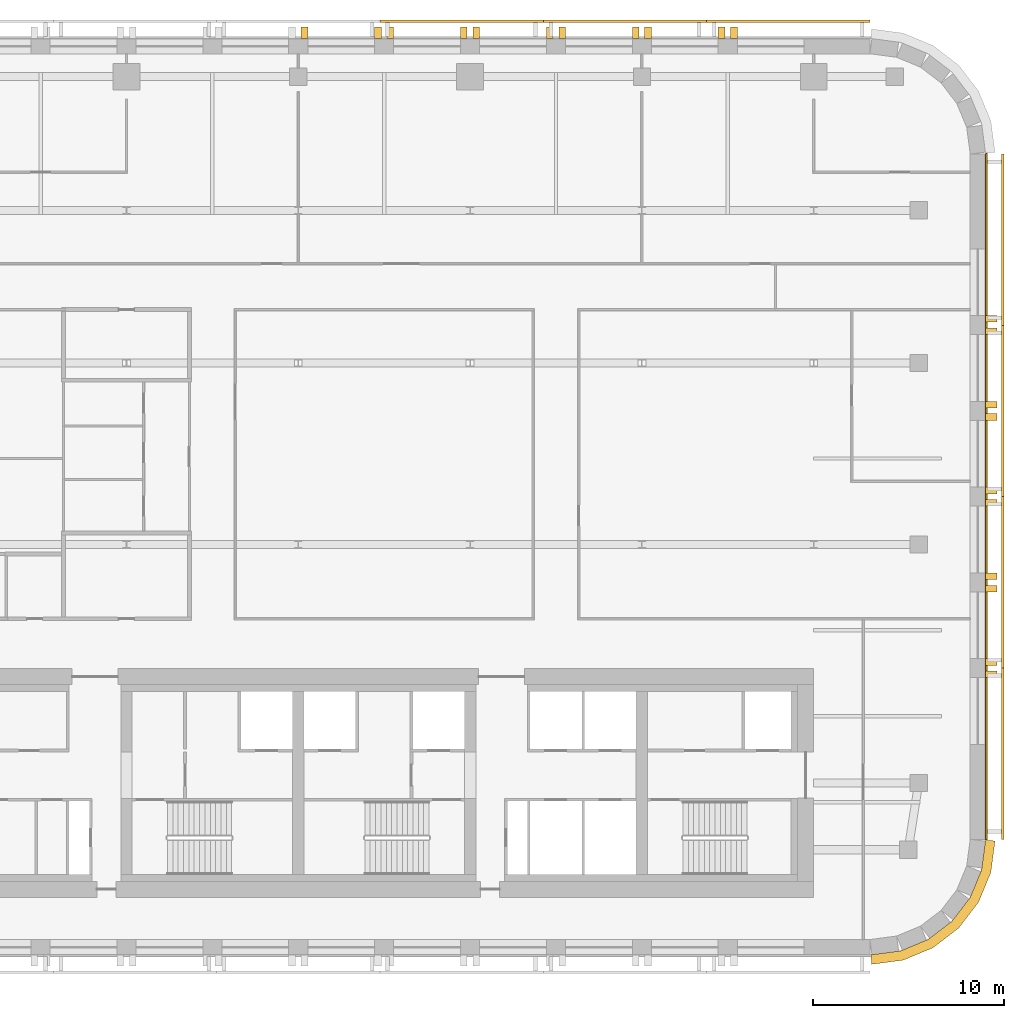
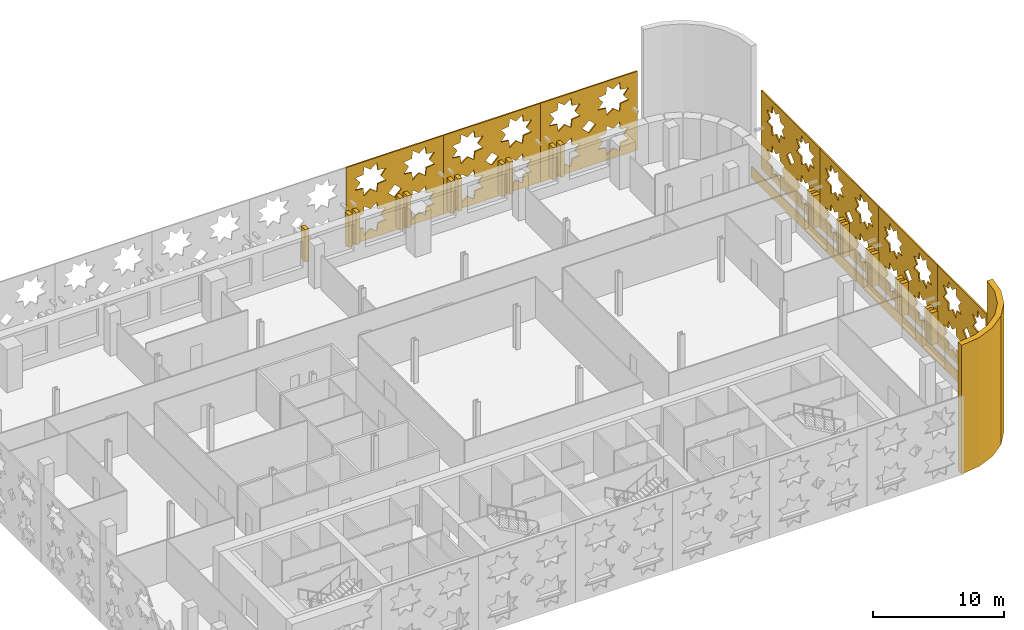
# One storey, part 13 of 14: 30 coverings.
"""IFC4 building model written with IfcOpenShell, lengths in metres."""

from ifc_helpers import new_model, si_unit, direction, frame, origin, place, context, subcontext, project, spatial, polyline, outline, extrude, material, layer, layer_set, type_object, element, save


model = new_model("IFC4")

# Units and contexts
model_context = context("Model", 3, precision=1e-05, world=origin(), true_north=direction((0.0, 1.0)))
body_context = subcontext(model_context, "Body", "Model", "MODEL_VIEW")
ifc_project = project(units=[si_unit("LENGTHUNIT", "METRE"), si_unit("AREAUNIT", "SQUARE_METRE"), si_unit("VOLUMEUNIT", "CUBIC_METRE"), si_unit("PLANEANGLEUNIT", "RADIAN"), si_unit("MASSUNIT", "GRAM", prefix="KILO")], contexts=[model_context])

# Site, building, storey
site_placement = place(None, origin())
site = spatial("IfcSite", under=ifc_project, at=site_placement, CompositionType="ELEMENT")
building_placement = place(site_placement, origin())
building = spatial("IfcBuilding", under=site, at=building_placement, Name="Zellij Exchange Tower", CompositionType="ELEMENT")
storey_placement = place(building_placement, frame((0.0, 0.0, 164.5)))
storey = spatial("IfcBuildingStorey", under=building, at=storey_placement, Name="L37", CompositionType="ELEMENT", Elevation=164.5)

# Coverings
ifc_material_1 = material(Name="Limestone cladding", Category="masonry")
ifc_layer_1 = layer(ifc_material_1, 0.5)
ifc_layer_set_1 = layer_set([ifc_layer_1], Name="Limestone cladding")
covering_type_1 = type_object("IfcCoveringType", Name="ENV-CV12 Stone corner pier 500", PredefinedType="CLADDING", material=ifc_layer_set_1)
covering_1_placement = place(storey_placement, origin())
element("IfcCovering", 1, at=covering_1_placement, inside=storey, type_object=covering_type_1, Name="Stone corner pier", PredefinedType="CLADDING", context=body_context, shape_type="SweptSolid", body=[
    extrude(outline(polyline([(30.0, -17.0), (31.552978515625, -16.795654296875), (33.0, -16.1962890625), (34.24267578125, -15.24267578125), (35.1962890625, -14.0), (35.795654296875, -12.552978515625), (36.0, -11.0), (36.5, -11.03271484375), (36.28271484375, -12.683349609375), (35.6328125, -14.252197265625), (34.59912109375, -15.59912109375), (33.252197265625, -16.6328125), (31.683349609375, -17.28271484375), (30.03271484375, -17.5), (30.0, -17.0)])), origin(), (0.0, 0.0, 1.0), 12.0),
])
covering_type_2 = type_object("IfcCoveringType", Name="ENV-CV3 Stone pier 350x600", PredefinedType="CLADDING", material=ifc_material_1)
covering_2_placement = place(storey_placement, frame((0.0, 0.0, 0.800048828125)))
element("IfcCovering", 2, at=covering_2_placement, inside=storey, type_object=covering_type_2, Name="Stone pier", PredefinedType="CLADDING", context=body_context, shape_type="SweptSolid", body=[
    extrude(outline(polyline([(36.0, -2.48681640625), (36.0, -2.136962890625), (36.60009765625, -2.136962890625), (36.60009765625, -2.48681640625), (36.0, -2.48681640625)])), origin(), (0.0, 0.0, 1.0), 3.0),
])
covering_3_placement = place(storey_placement, frame((0.0, 0.0, 0.800048828125)))
element("IfcCovering", 3, at=covering_3_placement, inside=storey, type_object=covering_type_2, Name="Stone pier", PredefinedType="CLADDING", context=body_context, shape_type="SweptSolid", body=[
    extrude(outline(polyline([(36.0, -1.8369140625), (36.0, -1.48681640625), (36.60009765625, -1.48681640625), (36.60009765625, -1.8369140625), (36.0, -1.8369140625)])), origin(), (0.0, 0.0, 1.0), 3.0),
])
covering_4_placement = place(storey_placement, frame((0.0, 0.0, 0.800048828125)))
element("IfcCovering", 4, at=covering_4_placement, inside=storey, type_object=covering_type_2, Name="Stone pier", PredefinedType="CLADDING", context=body_context, shape_type="SweptSolid", body=[
    extrude(outline(polyline([(36.0, 2.006591796875), (36.0, 2.3564453125), (36.60009765625, 2.3564453125), (36.60009765625, 2.006591796875), (36.0, 2.006591796875)])), origin(), (0.0, 0.0, 1.0), 3.0),
])
covering_5_placement = place(storey_placement, frame((0.0, 0.0, 0.800048828125)))
element("IfcCovering", 5, at=covering_5_placement, inside=storey, type_object=covering_type_2, Name="Stone pier", PredefinedType="CLADDING", context=body_context, shape_type="SweptSolid", body=[
    extrude(outline(polyline([(36.0, 2.656494140625), (36.0, 3.006591796875), (36.60009765625, 3.006591796875), (36.60009765625, 2.656494140625), (36.0, 2.656494140625)])), origin(), (0.0, 0.0, 1.0), 3.0),
])
covering_6_placement = place(storey_placement, frame((0.0, 0.0, 0.800048828125)))
element("IfcCovering", 6, at=covering_6_placement, inside=storey, type_object=covering_type_2, Name="Stone pier", PredefinedType="CLADDING", context=body_context, shape_type="SweptSolid", body=[
    extrude(outline(polyline([(36.0, 6.5), (36.0, 6.85009765625), (36.60009765625, 6.85009765625), (36.60009765625, 6.5), (36.0, 6.5)])), origin(), (0.0, 0.0, 1.0), 3.0),
])
covering_7_placement = place(storey_placement, frame((0.0, 0.0, 0.800048828125)))
element("IfcCovering", 7, at=covering_7_placement, inside=storey, type_object=covering_type_2, Name="Stone pier", PredefinedType="CLADDING", context=body_context, shape_type="SweptSolid", body=[
    extrude(outline(polyline([(36.0, 7.14990234375), (36.0, 7.5), (36.60009765625, 7.5), (36.60009765625, 7.14990234375), (36.0, 7.14990234375)])), origin(), (0.0, 0.0, 1.0), 3.0),
])
covering_8_placement = place(storey_placement, frame((0.0, 0.0, 0.800048828125)))
element("IfcCovering", 8, at=covering_8_placement, inside=storey, type_object=covering_type_2, Name="Stone pier", PredefinedType="CLADDING", context=body_context, shape_type="SweptSolid", body=[
    extrude(outline(polyline([(36.0, 10.993408203125), (36.0, 11.343505859375), (36.60009765625, 11.343505859375), (36.60009765625, 10.993408203125), (36.0, 10.993408203125)])), origin(), (0.0, 0.0, 1.0), 3.0),
])
covering_9_placement = place(storey_placement, frame((0.0, 0.0, 0.800048828125)))
element("IfcCovering", 9, at=covering_9_placement, inside=storey, type_object=covering_type_2, Name="Stone pier", PredefinedType="CLADDING", context=body_context, shape_type="SweptSolid", body=[
    extrude(outline(polyline([(36.0, 11.643310546875), (36.0, 11.993408203125), (36.60009765625, 11.993408203125), (36.60009765625, 11.643310546875), (36.0, 11.643310546875)])), origin(), (0.0, 0.0, 1.0), 3.0),
])
covering_10_placement = place(storey_placement, frame((0.0, 0.0, 0.800048828125)))
element("IfcCovering", 10, at=covering_10_placement, inside=storey, type_object=covering_type_2, Name="Stone pier", PredefinedType="CLADDING", context=body_context, shape_type="SweptSolid", body=[
    extrude(outline(polyline([(36.0, 15.48681640625), (36.0, 15.8369140625), (36.60009765625, 15.8369140625), (36.60009765625, 15.48681640625), (36.0, 15.48681640625)])), origin(), (0.0, 0.0, 1.0), 3.0),
])
covering_11_placement = place(storey_placement, frame((0.0, 0.0, 0.800048828125)))
element("IfcCovering", 11, at=covering_11_placement, inside=storey, type_object=covering_type_2, Name="Stone pier", PredefinedType="CLADDING", context=body_context, shape_type="SweptSolid", body=[
    extrude(outline(polyline([(36.0, 16.136962890625), (36.0, 16.48681640625), (36.60009765625, 16.48681640625), (36.60009765625, 16.136962890625), (36.0, 16.136962890625)])), origin(), (0.0, 0.0, 1.0), 3.0),
])
covering_12_placement = place(storey_placement, frame((0.0, 0.0, 0.800048828125)))
element("IfcCovering", 12, at=covering_12_placement, inside=storey, type_object=covering_type_2, Name="Stone pier", PredefinedType="CLADDING", context=body_context, shape_type="SweptSolid", body=[
    extrude(outline(polyline([(23.0, 31.0), (22.64990234375, 31.0), (22.64990234375, 31.60009765625), (23.0, 31.60009765625), (23.0, 31.0)])), origin(), (0.0, 0.0, 1.0), 3.0),
])
covering_13_placement = place(storey_placement, frame((0.0, 0.0, 0.800048828125)))
element("IfcCovering", 13, at=covering_13_placement, inside=storey, type_object=covering_type_2, Name="Stone pier", PredefinedType="CLADDING", context=body_context, shape_type="SweptSolid", body=[
    extrude(outline(polyline([(22.35009765625, 31.0), (22.0, 31.0), (22.0, 31.60009765625), (22.35009765625, 31.60009765625), (22.35009765625, 31.0)])), origin(), (0.0, 0.0, 1.0), 3.0),
])
covering_14_placement = place(storey_placement, frame((0.0, 0.0, 0.800048828125)))
element("IfcCovering", 14, at=covering_14_placement, inside=storey, type_object=covering_type_2, Name="Stone pier", PredefinedType="CLADDING", context=body_context, shape_type="SweptSolid", body=[
    extrude(outline(polyline([(18.5, 31.0), (18.14990234375, 31.0), (18.14990234375, 31.60009765625), (18.5, 31.60009765625), (18.5, 31.0)])), origin(), (0.0, 0.0, 1.0), 3.0),
])
covering_15_placement = place(storey_placement, frame((0.0, 0.0, 0.800048828125)))
element("IfcCovering", 15, at=covering_15_placement, inside=storey, type_object=covering_type_2, Name="Stone pier", PredefinedType="CLADDING", context=body_context, shape_type="SweptSolid", body=[
    extrude(outline(polyline([(17.85009765625, 31.0), (17.5, 31.0), (17.5, 31.60009765625), (17.85009765625, 31.60009765625), (17.85009765625, 31.0)])), origin(), (0.0, 0.0, 1.0), 3.0),
])
covering_16_placement = place(storey_placement, frame((0.0, 0.0, 0.800048828125)))
element("IfcCovering", 16, at=covering_16_placement, inside=storey, type_object=covering_type_2, Name="Stone pier", PredefinedType="CLADDING", context=body_context, shape_type="SweptSolid", body=[
    extrude(outline(polyline([(14.0, 31.0), (13.64990234375, 31.0), (13.64990234375, 31.60009765625), (14.0, 31.60009765625), (14.0, 31.0)])), origin(), (0.0, 0.0, 1.0), 3.0),
])
covering_17_placement = place(storey_placement, frame((0.0, 0.0, 0.800048828125)))
element("IfcCovering", 17, at=covering_17_placement, inside=storey, type_object=covering_type_2, Name="Stone pier", PredefinedType="CLADDING", context=body_context, shape_type="SweptSolid", body=[
    extrude(outline(polyline([(13.35009765625, 31.0), (13.0, 31.0), (13.0, 31.60009765625), (13.35009765625, 31.60009765625), (13.35009765625, 31.0)])), origin(), (0.0, 0.0, 1.0), 3.0),
])
covering_18_placement = place(storey_placement, frame((0.0, 0.0, 0.800048828125)))
element("IfcCovering", 18, at=covering_18_placement, inside=storey, type_object=covering_type_2, Name="Stone pier", PredefinedType="CLADDING", context=body_context, shape_type="SweptSolid", body=[
    extrude(outline(polyline([(9.5, 31.0), (9.14990234375, 31.0), (9.14990234375, 31.60009765625), (9.5, 31.60009765625), (9.5, 31.0)])), origin(), (0.0, 0.0, 1.0), 3.0),
])
covering_19_placement = place(storey_placement, frame((0.0, 0.0, 0.800048828125)))
element("IfcCovering", 19, at=covering_19_placement, inside=storey, type_object=covering_type_2, Name="Stone pier", PredefinedType="CLADDING", context=body_context, shape_type="SweptSolid", body=[
    extrude(outline(polyline([(8.85009765625, 31.0), (8.5, 31.0), (8.5, 31.60009765625), (8.85009765625, 31.60009765625), (8.85009765625, 31.0)])), origin(), (0.0, 0.0, 1.0), 3.0),
])
covering_20_placement = place(storey_placement, frame((0.0, 0.0, 0.800048828125)))
element("IfcCovering", 20, at=covering_20_placement, inside=storey, type_object=covering_type_2, Name="Stone pier", PredefinedType="CLADDING", context=body_context, shape_type="SweptSolid", body=[
    extrude(outline(polyline([(5.0, 31.0), (4.64990234375, 31.0), (4.64990234375, 31.60009765625), (5.0, 31.60009765625), (5.0, 31.0)])), origin(), (0.0, 0.0, 1.0), 3.0),
])
covering_21_placement = place(storey_placement, frame((0.0, 0.0, 0.800048828125)))
element("IfcCovering", 21, at=covering_21_placement, inside=storey, type_object=covering_type_2, Name="Stone pier", PredefinedType="CLADDING", context=body_context, shape_type="SweptSolid", body=[
    extrude(outline(polyline([(4.35009765625, 31.0), (4.0, 31.0), (4.0, 31.60009765625), (4.35009765625, 31.60009765625), (4.35009765625, 31.0)])), origin(), (0.0, 0.0, 1.0), 3.0),
])
covering_22_placement = place(storey_placement, frame((0.0, 0.0, 0.800048828125)))
element("IfcCovering", 22, at=covering_22_placement, inside=storey, type_object=covering_type_2, Name="Stone pier", PredefinedType="CLADDING", context=body_context, shape_type="SweptSolid", body=[
    extrude(outline(polyline([(0.5, 31.0), (0.14990234375, 31.0), (0.14990234375, 31.60009765625), (0.5, 31.60009765625), (0.5, 31.0)])), origin(), (0.0, 0.0, 1.0), 3.0),
])
ifc_layer_2 = layer(ifc_material_1, 0.10009765625)
ifc_layer_set_2 = layer_set([ifc_layer_2], Name="Limestone cladding")
covering_type_3 = type_object("IfcCoveringType", Name="ENV-CV9 Stone spandrel band 100", PredefinedType="CLADDING", material=ifc_layer_set_2)
covering_23_placement = place(storey_placement, frame((0.0, 0.0, -0.199951171875)))
element("IfcCovering", 23, at=covering_23_placement, inside=storey, type_object=covering_type_3, Name="Stone spandrel band", PredefinedType="CLADDING", context=body_context, shape_type="SweptSolid", body=[
    extrude(outline(polyline([(36.0, -10.973876953125), (36.0, 24.973876953125), (36.10009765625, 24.980224609375), (36.10009765625, -10.980224609375), (36.0, -10.973876953125)])), origin(), (0.0, 0.0, 1.0), 1.0),
])
ifc_material_2 = material(Name="Limestone screen", Category="masonry")
ifc_layer_3 = layer(ifc_material_2, 0.1201171875)
ifc_layer_set_3 = layer_set([ifc_layer_3], Name="Limestone screen")
covering_type_4 = type_object("IfcCoveringType", Name="ENV-SC1 Pierced stone screen 120", PredefinedType="USERDEFINED", material=ifc_layer_set_3)
covering_24_placement = place(storey_placement, frame((29.947509765625, 31.909912109375, 0.300048828125), z_axis=(0.0, 0.0, 1.0), x_axis=(-1.0, 0.0, 0.0)))
element("IfcCovering", 24, at=covering_24_placement, inside=storey, type_object=covering_type_4, Name="Pierced stone screen", ObjectType="SCREEN", PredefinedType="USERDEFINED", context=body_context, shape_type="SweptSolid", body=[
    extrude(outline(polyline([(0.0, 0.0), (8.556396484375, 0.0), (8.556396484375, 7.35009765625), (0.0, 7.35009765625), (0.0, 0.0)]), holes=[polyline([(3.497314453125, 2.39990234375), (2.78369140625, 2.48193359375), (2.70166015625, 3.195556640625), (2.13916015625, 2.748779296875), (1.57666015625, 3.195556640625), (1.49462890625, 2.48193359375), (0.781005859375, 2.39990234375), (1.227783203125, 1.83740234375), (0.781005859375, 1.27490234375), (1.49462890625, 1.193115234375), (1.57666015625, 0.4794921875), (2.13916015625, 0.926025390625), (2.70166015625, 0.4794921875), (2.78369140625, 1.193115234375), (3.497314453125, 1.27490234375), (3.050537109375, 1.83740234375), (3.497314453125, 2.39990234375)]), polyline([(3.497314453125, 6.074951171875), (2.78369140625, 6.156982421875), (2.70166015625, 6.87060546875), (2.13916015625, 6.423828125), (1.57666015625, 6.87060546875), (1.49462890625, 6.156982421875), (0.781005859375, 6.074951171875), (1.227783203125, 5.512451171875), (0.781005859375, 4.949951171875), (1.49462890625, 4.867919921875), (1.57666015625, 4.154296875), (2.13916015625, 4.60107421875), (2.70166015625, 4.154296875), (2.78369140625, 4.867919921875), (3.497314453125, 4.949951171875), (3.050537109375, 5.512451171875), (3.497314453125, 6.074951171875)]), polyline([(7.775390625, 2.39990234375), (7.061767578125, 2.48193359375), (6.97998046875, 3.195556640625), (6.417236328125, 2.748779296875), (5.854736328125, 3.195556640625), (5.77294921875, 2.48193359375), (5.05908203125, 2.39990234375), (5.505859375, 1.83740234375), (5.05908203125, 1.27490234375), (5.77294921875, 1.193115234375), (5.854736328125, 0.4794921875), (6.417236328125, 0.926025390625), (6.97998046875, 0.4794921875), (7.061767578125, 1.193115234375), (7.775390625, 1.27490234375), (7.32861328125, 1.83740234375), (7.775390625, 2.39990234375)]), polyline([(7.775390625, 6.074951171875), (7.061767578125, 6.156982421875), (6.97998046875, 6.87060546875), (6.417236328125, 6.423828125), (5.854736328125, 6.87060546875), (5.77294921875, 6.156982421875), (5.05908203125, 6.074951171875), (5.505859375, 5.512451171875), (5.05908203125, 4.949951171875), (5.77294921875, 4.867919921875), (5.854736328125, 4.154296875), (6.417236328125, 4.60107421875), (6.97998046875, 4.154296875), (7.061767578125, 4.867919921875), (7.775390625, 4.949951171875), (7.32861328125, 5.512451171875), (7.775390625, 6.074951171875)]), polyline([(4.8662109375, 3.675048828125), (4.2783203125, 4.262939453125), (3.690185546875, 3.675048828125), (4.2783203125, 3.0869140625), (4.8662109375, 3.675048828125)])]), frame((0.0, 0.06005859375, 0.0), z_axis=(0.0, -1.0, 0.0), x_axis=(1.0, 0.0, 0.0)), (0.0, 0.0, 1.0), 0.1201171875),
])
covering_25_placement = place(storey_placement, frame((21.39111328125, 31.909912109375, 0.300048828125), z_axis=(0.0, 0.0, 1.0), x_axis=(-1.0, 0.0, 0.0)))
element("IfcCovering", 25, at=covering_25_placement, inside=storey, type_object=covering_type_4, Name="Pierced stone screen", ObjectType="SCREEN", PredefinedType="USERDEFINED", context=body_context, shape_type="SweptSolid", body=[
    extrude(outline(polyline([(0.0, 0.0), (8.556396484375, 0.0), (8.556396484375, 7.35009765625), (0.0, 7.35009765625), (0.0, 0.0)]), holes=[polyline([(3.497314453125, 2.39990234375), (2.78369140625, 2.48193359375), (2.70166015625, 3.195556640625), (2.13916015625, 2.748779296875), (1.57666015625, 3.195556640625), (1.49462890625, 2.48193359375), (0.781005859375, 2.39990234375), (1.227783203125, 1.83740234375), (0.781005859375, 1.27490234375), (1.49462890625, 1.193115234375), (1.57666015625, 0.4794921875), (2.13916015625, 0.926025390625), (2.70166015625, 0.4794921875), (2.78369140625, 1.193115234375), (3.497314453125, 1.27490234375), (3.050537109375, 1.83740234375), (3.497314453125, 2.39990234375)]), polyline([(3.497314453125, 6.074951171875), (2.78369140625, 6.156982421875), (2.70166015625, 6.87060546875), (2.13916015625, 6.423828125), (1.57666015625, 6.87060546875), (1.49462890625, 6.156982421875), (0.781005859375, 6.074951171875), (1.227783203125, 5.512451171875), (0.781005859375, 4.949951171875), (1.49462890625, 4.867919921875), (1.57666015625, 4.154296875), (2.13916015625, 4.60107421875), (2.70166015625, 4.154296875), (2.78369140625, 4.867919921875), (3.497314453125, 4.949951171875), (3.050537109375, 5.512451171875), (3.497314453125, 6.074951171875)]), polyline([(7.775390625, 2.39990234375), (7.061767578125, 2.48193359375), (6.97998046875, 3.195556640625), (6.417236328125, 2.748779296875), (5.854736328125, 3.195556640625), (5.77294921875, 2.48193359375), (5.05908203125, 2.39990234375), (5.505859375, 1.83740234375), (5.05908203125, 1.27490234375), (5.77294921875, 1.193115234375), (5.854736328125, 0.4794921875), (6.417236328125, 0.926025390625), (6.97998046875, 0.4794921875), (7.061767578125, 1.193115234375), (7.775390625, 1.27490234375), (7.32861328125, 1.83740234375), (7.775390625, 2.39990234375)]), polyline([(7.775390625, 6.074951171875), (7.061767578125, 6.156982421875), (6.97998046875, 6.87060546875), (6.417236328125, 6.423828125), (5.854736328125, 6.87060546875), (5.77294921875, 6.156982421875), (5.05908203125, 6.074951171875), (5.505859375, 5.512451171875), (5.05908203125, 4.949951171875), (5.77294921875, 4.867919921875), (5.854736328125, 4.154296875), (6.417236328125, 4.60107421875), (6.97998046875, 4.154296875), (7.061767578125, 4.867919921875), (7.775390625, 4.949951171875), (7.32861328125, 5.512451171875), (7.775390625, 6.074951171875)]), polyline([(4.8662109375, 3.675048828125), (4.2783203125, 4.262939453125), (3.690185546875, 3.675048828125), (4.2783203125, 3.0869140625), (4.8662109375, 3.675048828125)])]), frame((0.0, 0.06005859375, 0.0), z_axis=(0.0, -1.0, 0.0), x_axis=(1.0, 0.0, 0.0)), (0.0, 0.0, 1.0), 0.1201171875),
])
covering_26_placement = place(storey_placement, frame((12.834716796875, 31.909912109375, 0.300048828125), z_axis=(0.0, 0.0, 1.0), x_axis=(-1.0, 0.0, 0.0)))
element("IfcCovering", 26, at=covering_26_placement, inside=storey, type_object=covering_type_4, Name="Pierced stone screen", ObjectType="SCREEN", PredefinedType="USERDEFINED", context=body_context, shape_type="SweptSolid", body=[
    extrude(outline(polyline([(0.0, 0.0), (8.556396484375, 0.0), (8.556396484375, 7.35009765625), (0.0, 7.35009765625), (0.0, 0.0)]), holes=[polyline([(3.497314453125, 2.39990234375), (2.78369140625, 2.48193359375), (2.70166015625, 3.195556640625), (2.13916015625, 2.748779296875), (1.57666015625, 3.195556640625), (1.49462890625, 2.48193359375), (0.781005859375, 2.39990234375), (1.227783203125, 1.83740234375), (0.781005859375, 1.27490234375), (1.49462890625, 1.193115234375), (1.57666015625, 0.4794921875), (2.13916015625, 0.926025390625), (2.70166015625, 0.4794921875), (2.78369140625, 1.193115234375), (3.497314453125, 1.27490234375), (3.050537109375, 1.83740234375), (3.497314453125, 2.39990234375)]), polyline([(3.497314453125, 6.074951171875), (2.78369140625, 6.156982421875), (2.70166015625, 6.87060546875), (2.13916015625, 6.423828125), (1.57666015625, 6.87060546875), (1.49462890625, 6.156982421875), (0.781005859375, 6.074951171875), (1.227783203125, 5.512451171875), (0.781005859375, 4.949951171875), (1.49462890625, 4.867919921875), (1.57666015625, 4.154296875), (2.13916015625, 4.60107421875), (2.70166015625, 4.154296875), (2.78369140625, 4.867919921875), (3.497314453125, 4.949951171875), (3.050537109375, 5.512451171875), (3.497314453125, 6.074951171875)]), polyline([(7.775390625, 2.39990234375), (7.061767578125, 2.48193359375), (6.97998046875, 3.195556640625), (6.417236328125, 2.748779296875), (5.854736328125, 3.195556640625), (5.77294921875, 2.48193359375), (5.05908203125, 2.39990234375), (5.505859375, 1.83740234375), (5.05908203125, 1.27490234375), (5.77294921875, 1.193115234375), (5.854736328125, 0.4794921875), (6.417236328125, 0.926025390625), (6.97998046875, 0.4794921875), (7.061767578125, 1.193115234375), (7.775390625, 1.27490234375), (7.32861328125, 1.83740234375), (7.775390625, 2.39990234375)]), polyline([(7.775390625, 6.074951171875), (7.061767578125, 6.156982421875), (6.97998046875, 6.87060546875), (6.417236328125, 6.423828125), (5.854736328125, 6.87060546875), (5.77294921875, 6.156982421875), (5.05908203125, 6.074951171875), (5.505859375, 5.512451171875), (5.05908203125, 4.949951171875), (5.77294921875, 4.867919921875), (5.854736328125, 4.154296875), (6.417236328125, 4.60107421875), (6.97998046875, 4.154296875), (7.061767578125, 4.867919921875), (7.775390625, 4.949951171875), (7.32861328125, 5.512451171875), (7.775390625, 6.074951171875)]), polyline([(4.8662109375, 3.675048828125), (4.2783203125, 4.262939453125), (3.690185546875, 3.675048828125), (4.2783203125, 3.0869140625), (4.8662109375, 3.675048828125)])]), frame((0.0, 0.06005859375, 0.0), z_axis=(0.0, -1.0, 0.0), x_axis=(1.0, 0.0, 0.0)), (0.0, 0.0, 1.0), 0.1201171875),
])
covering_27_placement = place(storey_placement, frame((36.909912109375, -10.947509765625, 0.300048828125), z_axis=(0.0, 0.0, 1.0), x_axis=(0.0, 1.0, 0.0)))
element("IfcCovering", 27, at=covering_27_placement, inside=storey, type_object=covering_type_4, Name="Pierced stone screen", ObjectType="SCREEN", PredefinedType="USERDEFINED", context=body_context, shape_type="SweptSolid", body=[
    extrude(outline(polyline([(0.0, 0.0), (8.973876953125, 0.0), (8.973876953125, 7.35009765625), (0.0, 7.35009765625), (0.0, 0.0)]), holes=[polyline([(3.6015625, 2.39990234375), (2.887939453125, 2.48193359375), (2.805908203125, 3.195556640625), (2.243408203125, 2.748779296875), (1.680908203125, 3.195556640625), (1.59912109375, 2.48193359375), (0.88525390625, 2.39990234375), (1.33203125, 1.83740234375), (0.88525390625, 1.27490234375), (1.59912109375, 1.193115234375), (1.680908203125, 0.4794921875), (2.243408203125, 0.926025390625), (2.805908203125, 0.4794921875), (2.887939453125, 1.193115234375), (3.6015625, 1.27490234375), (3.15478515625, 1.83740234375), (3.6015625, 2.39990234375)]), polyline([(3.6015625, 6.074951171875), (2.887939453125, 6.156982421875), (2.805908203125, 6.87060546875), (2.243408203125, 6.423828125), (1.680908203125, 6.87060546875), (1.59912109375, 6.156982421875), (0.88525390625, 6.074951171875), (1.33203125, 5.512451171875), (0.88525390625, 4.949951171875), (1.59912109375, 4.867919921875), (1.680908203125, 4.154296875), (2.243408203125, 4.60107421875), (2.805908203125, 4.154296875), (2.887939453125, 4.867919921875), (3.6015625, 4.949951171875), (3.15478515625, 5.512451171875), (3.6015625, 6.074951171875)]), polyline([(8.08837890625, 2.39990234375), (7.374755859375, 2.48193359375), (7.29296875, 3.195556640625), (6.730224609375, 2.748779296875), (6.167724609375, 3.195556640625), (6.0859375, 2.48193359375), (5.372314453125, 2.39990234375), (5.81884765625, 1.83740234375), (5.372314453125, 1.27490234375), (6.0859375, 1.193115234375), (6.167724609375, 0.4794921875), (6.730224609375, 0.926025390625), (7.29296875, 0.4794921875), (7.374755859375, 1.193115234375), (8.08837890625, 1.27490234375), (7.6416015625, 1.83740234375), (8.08837890625, 2.39990234375)]), polyline([(8.08837890625, 6.074951171875), (7.374755859375, 6.156982421875), (7.29296875, 6.87060546875), (6.730224609375, 6.423828125), (6.167724609375, 6.87060546875), (6.0859375, 6.156982421875), (5.372314453125, 6.074951171875), (5.81884765625, 5.512451171875), (5.372314453125, 4.949951171875), (6.0859375, 4.867919921875), (6.167724609375, 4.154296875), (6.730224609375, 4.60107421875), (7.29296875, 4.154296875), (7.374755859375, 4.867919921875), (8.08837890625, 4.949951171875), (7.6416015625, 5.512451171875), (8.08837890625, 6.074951171875)]), polyline([(5.074951171875, 3.675048828125), (4.48681640625, 4.262939453125), (3.89892578125, 3.675048828125), (4.48681640625, 3.0869140625), (5.074951171875, 3.675048828125)])]), frame((0.0, 0.06005859375, 0.0), z_axis=(0.0, -1.0, 0.0), x_axis=(1.0, 0.0, 0.0)), (0.0, 0.0, 1.0), 0.1201171875),
])
covering_28_placement = place(storey_placement, frame((36.909912109375, -1.973876953125, 0.300048828125), z_axis=(0.0, 0.0, 1.0), x_axis=(0.0, 1.0, 0.0)))
element("IfcCovering", 28, at=covering_28_placement, inside=storey, type_object=covering_type_4, Name="Pierced stone screen", ObjectType="SCREEN", PredefinedType="USERDEFINED", context=body_context, shape_type="SweptSolid", body=[
    extrude(outline(polyline([(0.0, 0.0), (8.973876953125, 0.0), (8.973876953125, 7.35009765625), (0.0, 7.35009765625), (0.0, 0.0)]), holes=[polyline([(3.6015625, 2.39990234375), (2.887939453125, 2.48193359375), (2.805908203125, 3.195556640625), (2.243408203125, 2.748779296875), (1.680908203125, 3.195556640625), (1.59912109375, 2.48193359375), (0.88525390625, 2.39990234375), (1.33203125, 1.83740234375), (0.88525390625, 1.27490234375), (1.59912109375, 1.193115234375), (1.680908203125, 0.4794921875), (2.243408203125, 0.926025390625), (2.805908203125, 0.4794921875), (2.887939453125, 1.193115234375), (3.6015625, 1.27490234375), (3.15478515625, 1.83740234375), (3.6015625, 2.39990234375)]), polyline([(3.6015625, 6.074951171875), (2.887939453125, 6.156982421875), (2.805908203125, 6.87060546875), (2.243408203125, 6.423828125), (1.680908203125, 6.87060546875), (1.59912109375, 6.156982421875), (0.88525390625, 6.074951171875), (1.33203125, 5.512451171875), (0.88525390625, 4.949951171875), (1.59912109375, 4.867919921875), (1.680908203125, 4.154296875), (2.243408203125, 4.60107421875), (2.805908203125, 4.154296875), (2.887939453125, 4.867919921875), (3.6015625, 4.949951171875), (3.15478515625, 5.512451171875), (3.6015625, 6.074951171875)]), polyline([(8.08837890625, 2.39990234375), (7.374755859375, 2.48193359375), (7.29296875, 3.195556640625), (6.730224609375, 2.748779296875), (6.167724609375, 3.195556640625), (6.0859375, 2.48193359375), (5.372314453125, 2.39990234375), (5.81884765625, 1.83740234375), (5.372314453125, 1.27490234375), (6.0859375, 1.193115234375), (6.167724609375, 0.4794921875), (6.730224609375, 0.926025390625), (7.29296875, 0.4794921875), (7.374755859375, 1.193115234375), (8.08837890625, 1.27490234375), (7.6416015625, 1.83740234375), (8.08837890625, 2.39990234375)]), polyline([(8.08837890625, 6.074951171875), (7.374755859375, 6.156982421875), (7.29296875, 6.87060546875), (6.730224609375, 6.423828125), (6.167724609375, 6.87060546875), (6.0859375, 6.156982421875), (5.372314453125, 6.074951171875), (5.81884765625, 5.512451171875), (5.372314453125, 4.949951171875), (6.0859375, 4.867919921875), (6.167724609375, 4.154296875), (6.730224609375, 4.60107421875), (7.29296875, 4.154296875), (7.374755859375, 4.867919921875), (8.08837890625, 4.949951171875), (7.6416015625, 5.512451171875), (8.08837890625, 6.074951171875)]), polyline([(5.074951171875, 3.675048828125), (4.48681640625, 4.262939453125), (3.89892578125, 3.675048828125), (4.48681640625, 3.0869140625), (5.074951171875, 3.675048828125)])]), frame((0.0, 0.06005859375, 0.0), z_axis=(0.0, -1.0, 0.0), x_axis=(1.0, 0.0, 0.0)), (0.0, 0.0, 1.0), 0.1201171875),
])
covering_29_placement = place(storey_placement, frame((36.909912109375, 7.0, 0.300048828125), z_axis=(0.0, 0.0, 1.0), x_axis=(0.0, 1.0, 0.0)))
element("IfcCovering", 29, at=covering_29_placement, inside=storey, type_object=covering_type_4, Name="Pierced stone screen", ObjectType="SCREEN", PredefinedType="USERDEFINED", context=body_context, shape_type="SweptSolid", body=[
    extrude(outline(polyline([(0.0, 0.0), (8.973876953125, 0.0), (8.973876953125, 7.35009765625), (0.0, 7.35009765625), (0.0, 0.0)]), holes=[polyline([(3.6015625, 2.39990234375), (2.887939453125, 2.48193359375), (2.805908203125, 3.195556640625), (2.243408203125, 2.748779296875), (1.680908203125, 3.195556640625), (1.59912109375, 2.48193359375), (0.88525390625, 2.39990234375), (1.33203125, 1.83740234375), (0.88525390625, 1.27490234375), (1.59912109375, 1.193115234375), (1.680908203125, 0.4794921875), (2.243408203125, 0.926025390625), (2.805908203125, 0.4794921875), (2.887939453125, 1.193115234375), (3.6015625, 1.27490234375), (3.15478515625, 1.83740234375), (3.6015625, 2.39990234375)]), polyline([(3.6015625, 6.074951171875), (2.887939453125, 6.156982421875), (2.805908203125, 6.87060546875), (2.243408203125, 6.423828125), (1.680908203125, 6.87060546875), (1.59912109375, 6.156982421875), (0.88525390625, 6.074951171875), (1.33203125, 5.512451171875), (0.88525390625, 4.949951171875), (1.59912109375, 4.867919921875), (1.680908203125, 4.154296875), (2.243408203125, 4.60107421875), (2.805908203125, 4.154296875), (2.887939453125, 4.867919921875), (3.6015625, 4.949951171875), (3.15478515625, 5.512451171875), (3.6015625, 6.074951171875)]), polyline([(8.08837890625, 2.39990234375), (7.374755859375, 2.48193359375), (7.29296875, 3.195556640625), (6.730224609375, 2.748779296875), (6.167724609375, 3.195556640625), (6.0859375, 2.48193359375), (5.372314453125, 2.39990234375), (5.81884765625, 1.83740234375), (5.372314453125, 1.27490234375), (6.0859375, 1.193115234375), (6.167724609375, 0.4794921875), (6.730224609375, 0.926025390625), (7.29296875, 0.4794921875), (7.374755859375, 1.193115234375), (8.08837890625, 1.27490234375), (7.6416015625, 1.83740234375), (8.08837890625, 2.39990234375)]), polyline([(8.08837890625, 6.074951171875), (7.374755859375, 6.156982421875), (7.29296875, 6.87060546875), (6.730224609375, 6.423828125), (6.167724609375, 6.87060546875), (6.0859375, 6.156982421875), (5.372314453125, 6.074951171875), (5.81884765625, 5.512451171875), (5.372314453125, 4.949951171875), (6.0859375, 4.867919921875), (6.167724609375, 4.154296875), (6.730224609375, 4.60107421875), (7.29296875, 4.154296875), (7.374755859375, 4.867919921875), (8.08837890625, 4.949951171875), (7.6416015625, 5.512451171875), (8.08837890625, 6.074951171875)]), polyline([(5.074951171875, 3.675048828125), (4.48681640625, 4.262939453125), (3.89892578125, 3.675048828125), (4.48681640625, 3.0869140625), (5.074951171875, 3.675048828125)])]), frame((0.0, 0.06005859375, 0.0), z_axis=(0.0, -1.0, 0.0), x_axis=(1.0, 0.0, 0.0)), (0.0, 0.0, 1.0), 0.1201171875),
])
covering_30_placement = place(storey_placement, frame((36.909912109375, 15.973876953125, 0.300048828125), z_axis=(0.0, 0.0, 1.0), x_axis=(0.0, 1.0, 0.0)))
element("IfcCovering", 30, at=covering_30_placement, inside=storey, type_object=covering_type_4, Name="Pierced stone screen", ObjectType="SCREEN", PredefinedType="USERDEFINED", context=body_context, shape_type="SweptSolid", body=[
    extrude(outline(polyline([(0.0, 0.0), (8.973876953125, 0.0), (8.973876953125, 7.35009765625), (0.0, 7.35009765625), (0.0, 0.0)]), holes=[polyline([(3.6015625, 2.39990234375), (2.887939453125, 2.48193359375), (2.805908203125, 3.195556640625), (2.243408203125, 2.748779296875), (1.680908203125, 3.195556640625), (1.59912109375, 2.48193359375), (0.88525390625, 2.39990234375), (1.33203125, 1.83740234375), (0.88525390625, 1.27490234375), (1.59912109375, 1.193115234375), (1.680908203125, 0.4794921875), (2.243408203125, 0.926025390625), (2.805908203125, 0.4794921875), (2.887939453125, 1.193115234375), (3.6015625, 1.27490234375), (3.15478515625, 1.83740234375), (3.6015625, 2.39990234375)]), polyline([(3.6015625, 6.074951171875), (2.887939453125, 6.156982421875), (2.805908203125, 6.87060546875), (2.243408203125, 6.423828125), (1.680908203125, 6.87060546875), (1.59912109375, 6.156982421875), (0.88525390625, 6.074951171875), (1.33203125, 5.512451171875), (0.88525390625, 4.949951171875), (1.59912109375, 4.867919921875), (1.680908203125, 4.154296875), (2.243408203125, 4.60107421875), (2.805908203125, 4.154296875), (2.887939453125, 4.867919921875), (3.6015625, 4.949951171875), (3.15478515625, 5.512451171875), (3.6015625, 6.074951171875)]), polyline([(8.08837890625, 2.39990234375), (7.374755859375, 2.48193359375), (7.29296875, 3.195556640625), (6.730224609375, 2.748779296875), (6.167724609375, 3.195556640625), (6.0859375, 2.48193359375), (5.372314453125, 2.39990234375), (5.81884765625, 1.83740234375), (5.372314453125, 1.27490234375), (6.0859375, 1.193115234375), (6.167724609375, 0.4794921875), (6.730224609375, 0.926025390625), (7.29296875, 0.4794921875), (7.374755859375, 1.193115234375), (8.08837890625, 1.27490234375), (7.6416015625, 1.83740234375), (8.08837890625, 2.39990234375)]), polyline([(8.08837890625, 6.074951171875), (7.374755859375, 6.156982421875), (7.29296875, 6.87060546875), (6.730224609375, 6.423828125), (6.167724609375, 6.87060546875), (6.0859375, 6.156982421875), (5.372314453125, 6.074951171875), (5.81884765625, 5.512451171875), (5.372314453125, 4.949951171875), (6.0859375, 4.867919921875), (6.167724609375, 4.154296875), (6.730224609375, 4.60107421875), (7.29296875, 4.154296875), (7.374755859375, 4.867919921875), (8.08837890625, 4.949951171875), (7.6416015625, 5.512451171875), (8.08837890625, 6.074951171875)]), polyline([(5.074951171875, 3.675048828125), (4.48681640625, 4.262939453125), (3.89892578125, 3.675048828125), (4.48681640625, 3.0869140625), (5.074951171875, 3.675048828125)])]), frame((0.0, 0.06005859375, 0.0), z_axis=(0.0, -1.0, 0.0), x_axis=(1.0, 0.0, 0.0)), (0.0, 0.0, 1.0), 0.1201171875),
])

save(model, "model.ifc")
